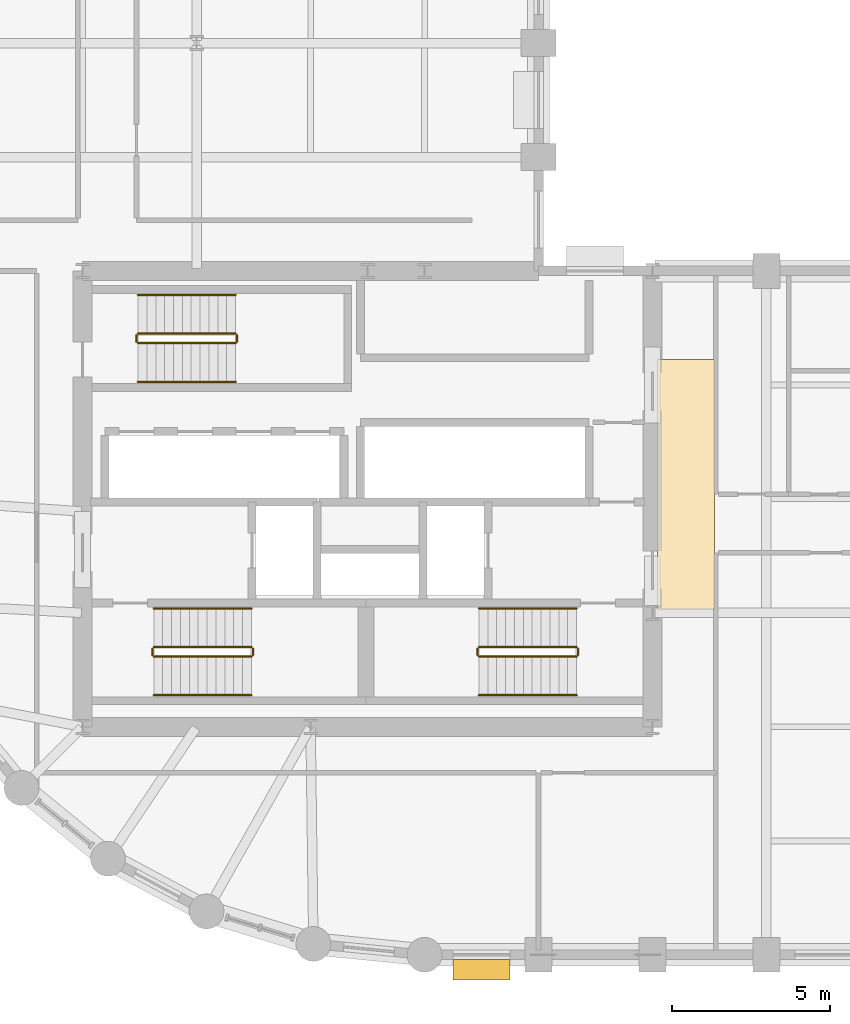
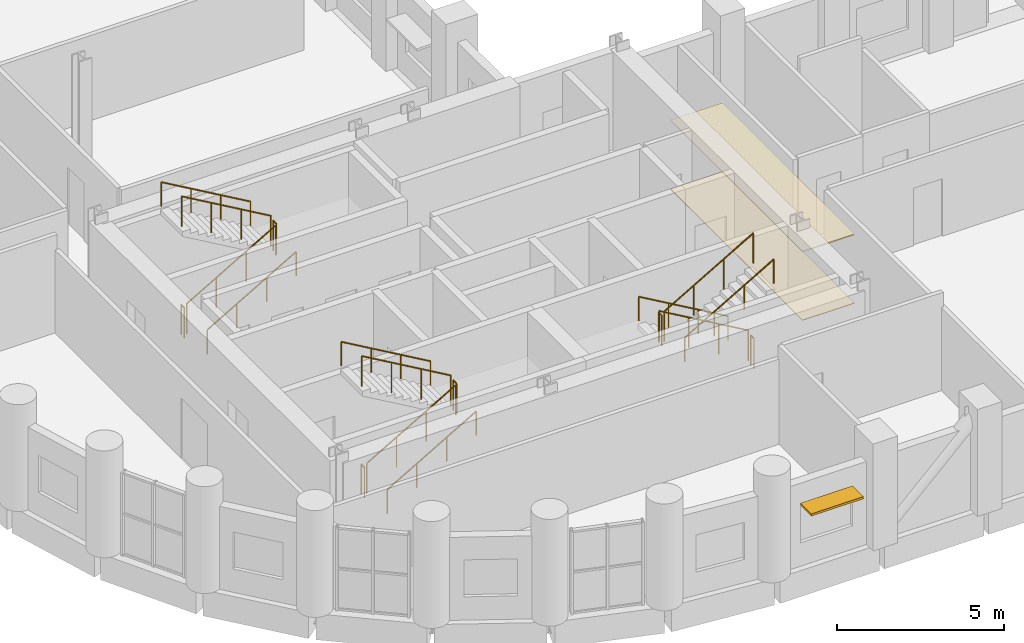
# One storey, part 12 of 13: 18 railings, 2 coverings, 1 shading device.
"""IFC4 building model written with IfcOpenShell, lengths in metres."""

from ifc_helpers import new_model, si_unit, direction, frame, origin, origin_2d, place, context, subcontext, project, spatial, polyline, rectangle, circle, outline, extrude, material, layer, layer_set, type_object, element, save


model = new_model("IFC4")

# Units and contexts
model_context = context("Model", 3, precision=1e-05, world=origin(), true_north=direction((0.0, 1.0)))
body_context = subcontext(model_context, "Body", "Model", "MODEL_VIEW")
ifc_project = project(units=[si_unit("LENGTHUNIT", "METRE"), si_unit("AREAUNIT", "SQUARE_METRE"), si_unit("VOLUMEUNIT", "CUBIC_METRE"), si_unit("PLANEANGLEUNIT", "RADIAN"), si_unit("MASSUNIT", "GRAM", prefix="KILO")], contexts=[model_context])

# Site, building, storey
site_placement = place(None, origin())
site = spatial("IfcSite", under=ifc_project, at=site_placement, CompositionType="ELEMENT")
building_placement = place(site_placement, origin())
building = spatial("IfcBuilding", under=site, at=building_placement, Name="Solnavia Interchange Tower", CompositionType="ELEMENT")
storey_placement = place(building_placement, frame((0.0, 0.0, 111.300048828125)))
storey = spatial("IfcBuildingStorey", under=building, at=storey_placement, Name="L27", CompositionType="ELEMENT", Elevation=111.300048828125)

# Coverings
ifc_material_1 = material(Name="Perforated Mineral-Fibre & Gypsum Ceiling", Category="gypsum")
ifc_layer_1 = layer(ifc_material_1, 0.0400390625)
ifc_layer_set_1 = layer_set([ifc_layer_1], Name="Perforated Mineral-Fibre & Gypsum Ceiling")
covering_type_1 = type_object("IfcCoveringType", Name="Covering-Ceiling-Acoustic40", PredefinedType="CEILING", material=ifc_layer_set_1)
covering_1_placement = place(storey_placement, frame((0.0, 0.0, 2.5)))
element("IfcCovering", 1, at=covering_1_placement, inside=storey, type_object=covering_type_1, Name="CLG-L27-01 Circulation suspended acoustic ceiling", PredefinedType="CEILING", context=body_context, shape_type="SweptSolid", body=[
    extrude(outline(polyline([(32.550048828125, 14.5), (34.35009765625, 14.5), (34.35009765625, 22.39990234375), (32.550048828125, 22.39990234375), (32.550048828125, 14.5)])), origin(), (0.0, 0.0, 1.0), 0.0400390625),
])
ifc_material_2 = material(Name="Polished Alicante Stone Terrazzo", Category="masonry")
ifc_layer_2 = layer(ifc_material_2, 0.02490234375)
ifc_layer_set_2 = layer_set([ifc_layer_2], Name="Polished Alicante Stone Terrazzo")
covering_type_2 = type_object("IfcCoveringType", Name="Covering-Flooring-Terrazzo25", PredefinedType="FLOORING", material=ifc_layer_set_2)
covering_2_placement = place(storey_placement, origin())
element("IfcCovering", 2, at=covering_2_placement, inside=storey, type_object=covering_type_2, Name="FLR-L27-01 Circulation floor finish", PredefinedType="FLOORING", context=body_context, shape_type="SweptSolid", body=[
    extrude(outline(polyline([(32.550048828125, 14.5), (34.35009765625, 14.5), (34.35009765625, 22.39990234375), (32.550048828125, 22.39990234375), (32.550048828125, 14.5)])), origin(), (0.0, 0.0, 1.0), 0.02490234375),
])

# Railings
ifc_material_3 = material(Name="Painted Steel Balustrade", Category="steel")
railing_type_1 = type_object("IfcRailingType", Name="Railing-StairGuard-1100", PredefinedType="GUARDRAIL", material=ifc_material_3)
railing_1_placement = place(storey_placement, frame((16.64990234375, 13.02001953125, 0.162353515625)))
element("IfcRailing", 3, at=railing_1_placement, inside=storey, type_object=railing_type_1, Name="L27 ST-1 stair guard 1", PredefinedType="GUARDRAIL", context=body_context, shape_type="SweptSolid", body=[
    extrude(circle(Radius=0.02392578125, at=origin_2d()), frame((0.0, 0.0, 1.09619140625), z_axis=(0.864890721111, 0.0, 0.501960198159), x_axis=(0.0, 1.0, 0.0)), (0.0, 0.0, 1.0), 3.561279296875),
    extrude(circle(Radius=0.02099609375, at=origin_2d()), origin(), (0.0, 0.0, 1.0), 1.072021484375),
    extrude(circle(Radius=0.02099609375, at=origin_2d()), frame((1.026611328125, 0.0, 0.595947265625)), (0.0, 0.0, 1.0), 1.072021484375),
    extrude(circle(Radius=0.02099609375, at=origin_2d()), frame((2.053466796875, 0.0, 1.191650390625)), (0.0, 0.0, 1.0), 1.072021484375),
    extrude(circle(Radius=0.02099609375, at=origin_2d()), frame((3.080078125, 0.0, 1.78759765625)), (0.0, 0.0, 1.0), 1.072021484375),
])
railing_2_placement = place(storey_placement, frame((19.780029296875, 13.070068359375, 1.949951171875)))
element("IfcRailing", 4, at=railing_2_placement, inside=storey, type_object=railing_type_1, Name="L27 ST-1 stair guard 2", PredefinedType="GUARDRAIL", context=body_context, shape_type="SweptSolid", body=[
    extrude(circle(Radius=0.02392578125, at=origin_2d()), frame((0.0, 0.0, 1.09619140625), z_axis=(0.0, 1.0, 0.0), x_axis=(-1.0, 0.0, 0.0)), (0.0, 0.0, 1.0), 0.199951171875),
    extrude(circle(Radius=0.02099609375, at=origin_2d()), origin(), (0.0, 0.0, 1.0), 1.072021484375),
    extrude(circle(Radius=0.02099609375, at=origin_2d()), frame((0.0, 0.199951171875, 0.0)), (0.0, 0.0, 1.0), 1.072021484375),
])
railing_3_placement = place(storey_placement, frame((19.72998046875, 13.320068359375, 2.112548828125)))
element("IfcRailing", 5, at=railing_3_placement, inside=storey, type_object=railing_type_1, Name="L27 ST-1 stair guard 3", PredefinedType="GUARDRAIL", context=body_context, shape_type="SweptSolid", body=[
    extrude(circle(Radius=0.02392578125, at=origin_2d()), frame((0.0, 0.0, 1.09619140625), z_axis=(-0.864920483161, 0.0, 0.501908913857), x_axis=(0.0, -1.0, 0.0)), (0.0, 0.0, 1.0), 3.56103515625),
    extrude(circle(Radius=0.02099609375, at=origin_2d()), origin(), (0.0, 0.0, 1.0), 1.072021484375),
    extrude(circle(Radius=0.02099609375, at=origin_2d()), frame((-1.026611328125, 0.0, 0.595703125)), (0.0, 0.0, 1.0), 1.072021484375),
    extrude(circle(Radius=0.02099609375, at=origin_2d()), frame((-2.053466796875, 0.0, 1.191650390625)), (0.0, 0.0, 1.0), 1.072021484375),
    extrude(circle(Radius=0.02099609375, at=origin_2d()), frame((-3.080078125, 0.0, 1.787353515625)), (0.0, 0.0, 1.0), 1.072021484375),
])
railing_4_placement = place(storey_placement, frame((16.60009765625, 13.070068359375, 0.0)))
element("IfcRailing", 6, at=railing_4_placement, inside=storey, type_object=railing_type_1, Name="L27 ST-1 stair guard 4", PredefinedType="GUARDRAIL", context=body_context, shape_type="SweptSolid", body=[
    extrude(circle(Radius=0.02392578125, at=origin_2d()), frame((0.0, 0.0, 1.09619140625), z_axis=(0.0, 1.0, 0.0), x_axis=(-1.0, 0.0, 0.0)), (0.0, 0.0, 1.0), 0.199951171875),
    extrude(circle(Radius=0.02099609375, at=origin_2d()), origin(), (0.0, 0.0, 1.0), 1.072021484375),
    extrude(circle(Radius=0.02099609375, at=origin_2d()), frame((0.0, 0.199951171875, 0.0)), (0.0, 0.0, 1.0), 1.072021484375),
])
railing_5_placement = place(storey_placement, frame((30.0, 13.320068359375, 0.162353515625)))
element("IfcRailing", 7, at=railing_5_placement, inside=storey, type_object=railing_type_1, Name="L27 ST-2 stair guard 1", PredefinedType="GUARDRAIL", context=body_context, shape_type="SweptSolid", body=[
    extrude(circle(Radius=0.02392578125, at=origin_2d()), frame((0.0, 0.0, 1.09619140625), z_axis=(-0.864890721111, 0.0, 0.501960198159), x_axis=(0.0, -1.0, 0.0)), (0.0, 0.0, 1.0), 3.561279296875),
    extrude(circle(Radius=0.02099609375, at=origin_2d()), origin(), (0.0, 0.0, 1.0), 1.072021484375),
    extrude(circle(Radius=0.02099609375, at=origin_2d()), frame((-1.026611328125, 0.0, 0.595947265625)), (0.0, 0.0, 1.0), 1.072021484375),
    extrude(circle(Radius=0.02099609375, at=origin_2d()), frame((-2.053466796875, 0.0, 1.191650390625)), (0.0, 0.0, 1.0), 1.072021484375),
    extrude(circle(Radius=0.02099609375, at=origin_2d()), frame((-3.080078125, 0.0, 1.78759765625)), (0.0, 0.0, 1.0), 1.072021484375),
])
railing_6_placement = place(storey_placement, frame((26.8701171875, 13.27001953125, 1.949951171875)))
element("IfcRailing", 8, at=railing_6_placement, inside=storey, type_object=railing_type_1, Name="L27 ST-2 stair guard 2", PredefinedType="GUARDRAIL", context=body_context, shape_type="SweptSolid", body=[
    extrude(circle(Radius=0.02392578125, at=origin_2d()), frame((0.0, 0.0, 1.09619140625), z_axis=(0.0, -1.0, 0.0), x_axis=(1.0, 0.0, 0.0)), (0.0, 0.0, 1.0), 0.199951171875),
    extrude(circle(Radius=0.02099609375, at=origin_2d()), origin(), (0.0, 0.0, 1.0), 1.072021484375),
    extrude(circle(Radius=0.02099609375, at=origin_2d()), frame((0.0, -0.199951171875, 0.0)), (0.0, 0.0, 1.0), 1.072021484375),
])
railing_7_placement = place(storey_placement, frame((26.919921875, 13.02001953125, 2.112548828125)))
element("IfcRailing", 9, at=railing_7_placement, inside=storey, type_object=railing_type_1, Name="L27 ST-2 stair guard 3", PredefinedType="GUARDRAIL", context=body_context, shape_type="SweptSolid", body=[
    extrude(circle(Radius=0.02392578125, at=origin_2d()), frame((0.0, 0.0, 1.09619140625), z_axis=(0.864920483161, 0.0, 0.501908913857), x_axis=(0.0, 1.0, 0.0)), (0.0, 0.0, 1.0), 3.56103515625),
    extrude(circle(Radius=0.02099609375, at=origin_2d()), origin(), (0.0, 0.0, 1.0), 1.072021484375),
    extrude(circle(Radius=0.02099609375, at=origin_2d()), frame((1.026611328125, 0.0, 0.595703125)), (0.0, 0.0, 1.0), 1.072021484375),
    extrude(circle(Radius=0.02099609375, at=origin_2d()), frame((2.053466796875, 0.0, 1.191650390625)), (0.0, 0.0, 1.0), 1.072021484375),
    extrude(circle(Radius=0.02099609375, at=origin_2d()), frame((3.080078125, 0.0, 1.787353515625)), (0.0, 0.0, 1.0), 1.072021484375),
])
railing_8_placement = place(storey_placement, frame((30.050048828125, 13.27001953125, 0.0)))
element("IfcRailing", 10, at=railing_8_placement, inside=storey, type_object=railing_type_1, Name="L27 ST-2 stair guard 4", PredefinedType="GUARDRAIL", context=body_context, shape_type="SweptSolid", body=[
    extrude(circle(Radius=0.02392578125, at=origin_2d()), frame((0.0, 0.0, 1.09619140625), z_axis=(0.0, -1.0, 0.0), x_axis=(1.0, 0.0, 0.0)), (0.0, 0.0, 1.0), 0.199951171875),
    extrude(circle(Radius=0.02099609375, at=origin_2d()), origin(), (0.0, 0.0, 1.0), 1.072021484375),
    extrude(circle(Radius=0.02099609375, at=origin_2d()), frame((0.0, -0.199951171875, 0.0)), (0.0, 0.0, 1.0), 1.072021484375),
])
railing_9_placement = place(storey_placement, frame((16.14990234375, 22.919921875, 0.162353515625)))
element("IfcRailing", 11, at=railing_9_placement, inside=storey, type_object=railing_type_1, Name="L27 ST-3 stair guard 1", PredefinedType="GUARDRAIL", context=body_context, shape_type="SweptSolid", body=[
    extrude(circle(Radius=0.02392578125, at=origin_2d()), frame((0.0, 0.0, 1.09619140625), z_axis=(0.864890721111, 0.0, 0.501960198159), x_axis=(0.0, 1.0, 0.0)), (0.0, 0.0, 1.0), 3.561279296875),
    extrude(circle(Radius=0.02099609375, at=origin_2d()), origin(), (0.0, 0.0, 1.0), 1.072021484375),
    extrude(circle(Radius=0.02099609375, at=origin_2d()), frame((1.026611328125, 0.0, 0.595947265625)), (0.0, 0.0, 1.0), 1.072021484375),
    extrude(circle(Radius=0.02099609375, at=origin_2d()), frame((2.053466796875, 0.0, 1.191650390625)), (0.0, 0.0, 1.0), 1.072021484375),
    extrude(circle(Radius=0.02099609375, at=origin_2d()), frame((3.080078125, 0.0, 1.78759765625)), (0.0, 0.0, 1.0), 1.072021484375),
])
railing_10_placement = place(storey_placement, frame((19.280029296875, 22.969970703125, 1.949951171875)))
element("IfcRailing", 12, at=railing_10_placement, inside=storey, type_object=railing_type_1, Name="L27 ST-3 stair guard 2", PredefinedType="GUARDRAIL", context=body_context, shape_type="SweptSolid", body=[
    extrude(circle(Radius=0.02392578125, at=origin_2d()), frame((0.0, 0.0, 1.09619140625), z_axis=(0.0, 1.0, 0.0), x_axis=(-1.0, 0.0, 0.0)), (0.0, 0.0, 1.0), 0.199951171875),
    extrude(circle(Radius=0.02099609375, at=origin_2d()), origin(), (0.0, 0.0, 1.0), 1.072021484375),
    extrude(circle(Radius=0.02099609375, at=origin_2d()), frame((0.0, 0.199951171875, 0.0)), (0.0, 0.0, 1.0), 1.072021484375),
])
railing_11_placement = place(storey_placement, frame((19.22998046875, 23.219970703125, 2.112548828125)))
element("IfcRailing", 13, at=railing_11_placement, inside=storey, type_object=railing_type_1, Name="L27 ST-3 stair guard 3", PredefinedType="GUARDRAIL", context=body_context, shape_type="SweptSolid", body=[
    extrude(circle(Radius=0.02392578125, at=origin_2d()), frame((0.0, 0.0, 1.09619140625), z_axis=(-0.864920483161, 0.0, 0.501908913857), x_axis=(0.0, -1.0, 0.0)), (0.0, 0.0, 1.0), 3.56103515625),
    extrude(circle(Radius=0.02099609375, at=origin_2d()), origin(), (0.0, 0.0, 1.0), 1.072021484375),
    extrude(circle(Radius=0.02099609375, at=origin_2d()), frame((-1.026611328125, 0.0, 0.595703125)), (0.0, 0.0, 1.0), 1.072021484375),
    extrude(circle(Radius=0.02099609375, at=origin_2d()), frame((-2.053466796875, 0.0, 1.191650390625)), (0.0, 0.0, 1.0), 1.072021484375),
    extrude(circle(Radius=0.02099609375, at=origin_2d()), frame((-3.080078125, 0.0, 1.787353515625)), (0.0, 0.0, 1.0), 1.072021484375),
])
railing_12_placement = place(storey_placement, frame((16.10009765625, 22.969970703125, 0.0)))
element("IfcRailing", 14, at=railing_12_placement, inside=storey, type_object=railing_type_1, Name="L27 ST-3 stair guard 4", PredefinedType="GUARDRAIL", context=body_context, shape_type="SweptSolid", body=[
    extrude(circle(Radius=0.02392578125, at=origin_2d()), frame((0.0, 0.0, 1.09619140625), z_axis=(0.0, 1.0, 0.0), x_axis=(-1.0, 0.0, 0.0)), (0.0, 0.0, 1.0), 0.199951171875),
    extrude(circle(Radius=0.02099609375, at=origin_2d()), origin(), (0.0, 0.0, 1.0), 1.072021484375),
    extrude(circle(Radius=0.02099609375, at=origin_2d()), frame((0.0, 0.199951171875, 0.0)), (0.0, 0.0, 1.0), 1.072021484375),
])
ifc_material_4 = material(Name="Brushed Stainless Steel", Category="steel")
railing_type_2 = type_object("IfcRailingType", Name="Railing-StairHandrail-900", PredefinedType="HANDRAIL", material=ifc_material_4)
railing_13_placement = place(storey_placement, frame((16.64990234375, 11.800048828125, 0.162353515625)))
element("IfcRailing", 15, at=railing_13_placement, inside=storey, type_object=railing_type_2, Name="L27 ST-1 stair handrail 1", PredefinedType="HANDRAIL", context=body_context, shape_type="SweptSolid", body=[
    extrude(circle(Radius=0.02392578125, at=origin_2d()), frame((0.0, 0.0, 0.8759765625), z_axis=(0.864890721111, 0.0, 0.501960198159), x_axis=(0.0, 1.0, 0.0)), (0.0, 0.0, 1.0), 3.561279296875),
    extrude(circle(Radius=0.02099609375, at=origin_2d()), origin(), (0.0, 0.0, 1.0), 0.851806640625),
    extrude(circle(Radius=0.02099609375, at=origin_2d()), frame((1.026611328125, 0.0, 0.595947265625)), (0.0, 0.0, 1.0), 0.851806640625),
    extrude(circle(Radius=0.02099609375, at=origin_2d()), frame((2.053466796875, 0.0, 1.191650390625)), (0.0, 0.0, 1.0), 0.851806640625),
    extrude(circle(Radius=0.02099609375, at=origin_2d()), frame((3.080078125, 0.0, 1.78759765625)), (0.0, 0.0, 1.0), 0.851806640625),
])
railing_14_placement = place(storey_placement, frame((19.72998046875, 14.5400390625, 2.112548828125)))
element("IfcRailing", 16, at=railing_14_placement, inside=storey, type_object=railing_type_2, Name="L27 ST-1 stair handrail 2", PredefinedType="HANDRAIL", context=body_context, shape_type="SweptSolid", body=[
    extrude(circle(Radius=0.02392578125, at=origin_2d()), frame((0.0, 0.0, 0.8759765625), z_axis=(-0.864920483161, 0.0, 0.501908913857), x_axis=(0.0, -1.0, 0.0)), (0.0, 0.0, 1.0), 3.56103515625),
    extrude(circle(Radius=0.02099609375, at=origin_2d()), origin(), (0.0, 0.0, 1.0), 0.851806640625),
    extrude(circle(Radius=0.02099609375, at=origin_2d()), frame((-1.026611328125, 0.0, 0.595703125)), (0.0, 0.0, 1.0), 0.851806640625),
    extrude(circle(Radius=0.02099609375, at=origin_2d()), frame((-2.053466796875, 0.0, 1.191650390625)), (0.0, 0.0, 1.0), 0.851806640625),
    extrude(circle(Radius=0.02099609375, at=origin_2d()), frame((-3.080078125, 0.0, 1.787353515625)), (0.0, 0.0, 1.0), 0.851806640625),
])
railing_15_placement = place(storey_placement, frame((30.0, 14.5400390625, 0.162353515625)))
element("IfcRailing", 17, at=railing_15_placement, inside=storey, type_object=railing_type_2, Name="L27 ST-2 stair handrail 1", PredefinedType="HANDRAIL", context=body_context, shape_type="SweptSolid", body=[
    extrude(circle(Radius=0.02392578125, at=origin_2d()), frame((0.0, 0.0, 0.8759765625), z_axis=(-0.864890721111, 0.0, 0.501960198159), x_axis=(0.0, -1.0, 0.0)), (0.0, 0.0, 1.0), 3.561279296875),
    extrude(circle(Radius=0.02099609375, at=origin_2d()), origin(), (0.0, 0.0, 1.0), 0.851806640625),
    extrude(circle(Radius=0.02099609375, at=origin_2d()), frame((-1.026611328125, 0.0, 0.595947265625)), (0.0, 0.0, 1.0), 0.851806640625),
    extrude(circle(Radius=0.02099609375, at=origin_2d()), frame((-2.053466796875, 0.0, 1.191650390625)), (0.0, 0.0, 1.0), 0.851806640625),
    extrude(circle(Radius=0.02099609375, at=origin_2d()), frame((-3.080078125, 0.0, 1.78759765625)), (0.0, 0.0, 1.0), 0.851806640625),
])
railing_16_placement = place(storey_placement, frame((26.919921875, 11.800048828125, 2.112548828125)))
element("IfcRailing", 18, at=railing_16_placement, inside=storey, type_object=railing_type_2, Name="L27 ST-2 stair handrail 2", PredefinedType="HANDRAIL", context=body_context, shape_type="SweptSolid", body=[
    extrude(circle(Radius=0.02392578125, at=origin_2d()), frame((0.0, 0.0, 0.8759765625), z_axis=(0.864920483161, 0.0, 0.501908913857), x_axis=(0.0, 1.0, 0.0)), (0.0, 0.0, 1.0), 3.56103515625),
    extrude(circle(Radius=0.02099609375, at=origin_2d()), origin(), (0.0, 0.0, 1.0), 0.851806640625),
    extrude(circle(Radius=0.02099609375, at=origin_2d()), frame((1.026611328125, 0.0, 0.595703125)), (0.0, 0.0, 1.0), 0.851806640625),
    extrude(circle(Radius=0.02099609375, at=origin_2d()), frame((2.053466796875, 0.0, 1.191650390625)), (0.0, 0.0, 1.0), 0.851806640625),
    extrude(circle(Radius=0.02099609375, at=origin_2d()), frame((3.080078125, 0.0, 1.787353515625)), (0.0, 0.0, 1.0), 0.851806640625),
])
railing_17_placement = place(storey_placement, frame((16.14990234375, 21.699951171875, 0.162353515625)))
element("IfcRailing", 19, at=railing_17_placement, inside=storey, type_object=railing_type_2, Name="L27 ST-3 stair handrail 1", PredefinedType="HANDRAIL", context=body_context, shape_type="SweptSolid", body=[
    extrude(circle(Radius=0.02392578125, at=origin_2d()), frame((0.0, 0.0, 0.8759765625), z_axis=(0.864890721111, 0.0, 0.501960198159), x_axis=(0.0, 1.0, 0.0)), (0.0, 0.0, 1.0), 3.561279296875),
    extrude(circle(Radius=0.02099609375, at=origin_2d()), origin(), (0.0, 0.0, 1.0), 0.851806640625),
    extrude(circle(Radius=0.02099609375, at=origin_2d()), frame((1.026611328125, 0.0, 0.595947265625)), (0.0, 0.0, 1.0), 0.851806640625),
    extrude(circle(Radius=0.02099609375, at=origin_2d()), frame((2.053466796875, 0.0, 1.191650390625)), (0.0, 0.0, 1.0), 0.851806640625),
    extrude(circle(Radius=0.02099609375, at=origin_2d()), frame((3.080078125, 0.0, 1.78759765625)), (0.0, 0.0, 1.0), 0.851806640625),
])
railing_18_placement = place(storey_placement, frame((19.22998046875, 24.43994140625, 2.112548828125)))
element("IfcRailing", 20, at=railing_18_placement, inside=storey, type_object=railing_type_2, Name="L27 ST-3 stair handrail 2", PredefinedType="HANDRAIL", context=body_context, shape_type="SweptSolid", body=[
    extrude(circle(Radius=0.02392578125, at=origin_2d()), frame((0.0, 0.0, 0.8759765625), z_axis=(-0.864920483161, 0.0, 0.501908913857), x_axis=(0.0, -1.0, 0.0)), (0.0, 0.0, 1.0), 3.56103515625),
    extrude(circle(Radius=0.02099609375, at=origin_2d()), origin(), (0.0, 0.0, 1.0), 0.851806640625),
    extrude(circle(Radius=0.02099609375, at=origin_2d()), frame((-1.026611328125, 0.0, 0.595703125)), (0.0, 0.0, 1.0), 0.851806640625),
    extrude(circle(Radius=0.02099609375, at=origin_2d()), frame((-2.053466796875, 0.0, 1.191650390625)), (0.0, 0.0, 1.0), 0.851806640625),
    extrude(circle(Radius=0.02099609375, at=origin_2d()), frame((-3.080078125, 0.0, 1.787353515625)), (0.0, 0.0, 1.0), 0.851806640625),
])

# Shading device
ifc_material_5 = material(Name="Anodised Aluminium Sunshade", Category="aluminium")
ifc_layer_3 = layer(ifc_material_5, 0.080078125)
ifc_layer_set_3 = layer_set([ifc_layer_3], Name="Anodised Aluminium Sunshade")
shading_device_type = type_object("IfcShadingDeviceType", Name="Sunshade-Band-650", PredefinedType="SHUTTER", material=ifc_layer_set_3)
shading_device_placement = place(storey_placement, frame((27.0, 3.1298828125, 2.219970703125), z_axis=(0.0, 0.0, 1.0), x_axis=(-1.0, 0.0, 0.0)))
element("IfcShadingDevice", 21, at=shading_device_placement, inside=storey, type_object=shading_device_type, Name="SHD-L27-01 Horizontal sunshade band", PredefinedType="SHUTTER", context=body_context, shape_type="SweptSolid", body=[
    extrude(rectangle(XDim=1.800048828125, YDim=0.64990234375, at=origin_2d()), origin(), (0.0, 0.0, 1.0), 0.080078125),
])

save(model, "model.ifc")
